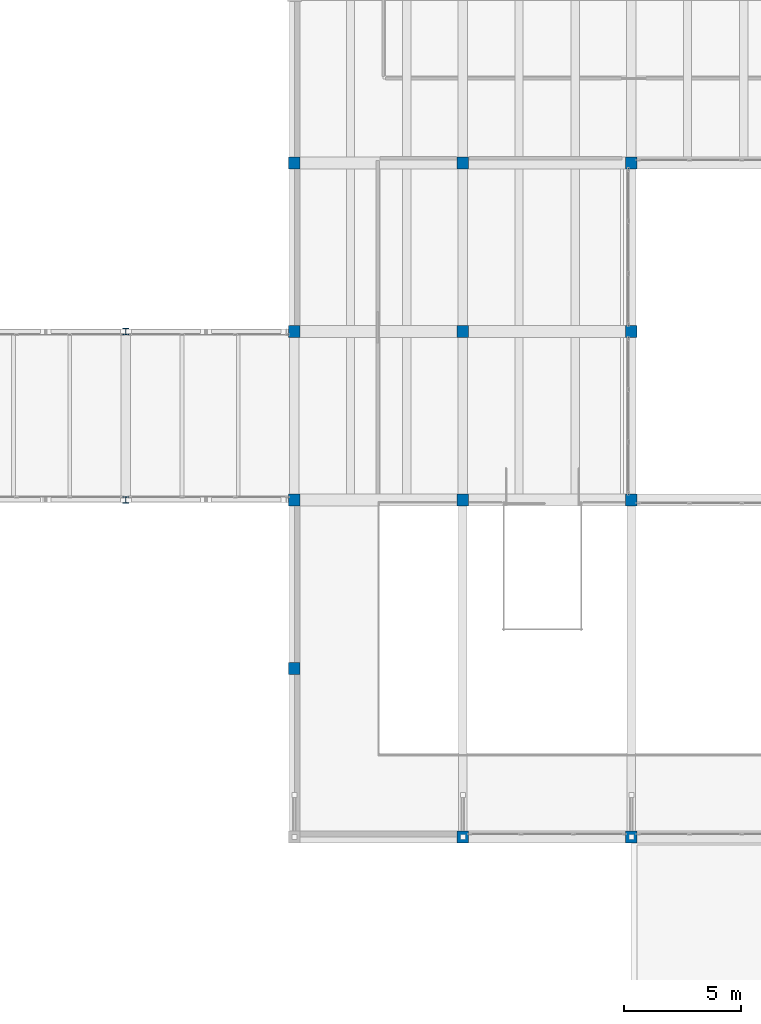
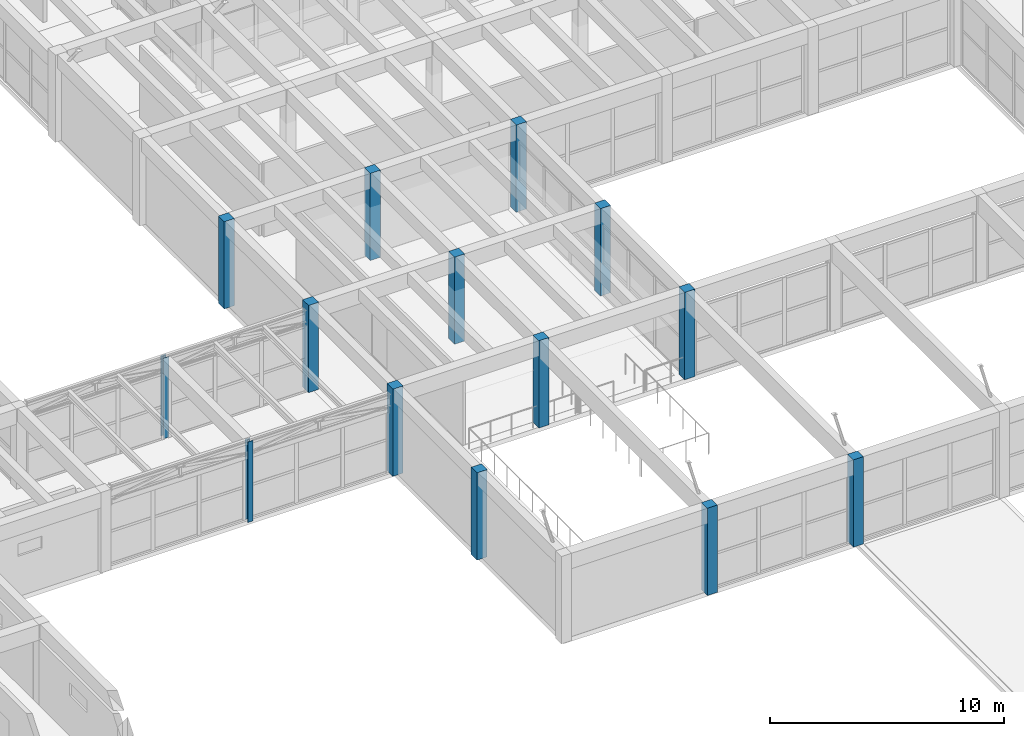
# One storey, part 2 of 153: 14 columns.
"""IFC4 building model written with IfcOpenShell, lengths in metres."""

from ifc_helpers import new_model, si_unit, direction, frame, origin, origin_2d, place, context, subcontext, project, spatial, rectangle, i_section, extrude, material, material_profile, profile_set, type_object, element, save


model = new_model("IFC4")

# Units and contexts
model_context = context("Model", 3, precision=1e-05, world=origin(), true_north=direction((0.0, 1.0)))
body_context = subcontext(model_context, "Body", "Model", "MODEL_VIEW")
ifc_project = project(units=[si_unit("LENGTHUNIT", "METRE"), si_unit("AREAUNIT", "SQUARE_METRE"), si_unit("VOLUMEUNIT", "CUBIC_METRE"), si_unit("PLANEANGLEUNIT", "RADIAN"), si_unit("MASSUNIT", "GRAM", prefix="KILO")], contexts=[model_context])

# Site, building, storey
site_placement = place(None, origin())
site = spatial("IfcSite", under=ifc_project, at=site_placement, CompositionType="ELEMENT")
building_placement = place(site_placement, origin())
building = spatial("IfcBuilding", under=site, at=building_placement, Name="Bramvelor Terrace Health Centre", CompositionType="ELEMENT")
storey_placement = place(building_placement, frame((0.0, 0.0, 4.800048828125)))
storey = spatial("IfcBuildingStorey", under=building, at=storey_placement, Name="L02", CompositionType="ELEMENT", Elevation=4.800048828125)

# Columns
ifc_material_1 = material(Name="Concrete C40/50", Category="concrete")
ifc_material_profile_1 = material_profile(ifc_material_1, rectangle(XDim=0.5, YDim=0.5, at=origin_2d()), Name="RC 500x500")
ifc_profile_set_1 = profile_set([ifc_material_profile_1], Name="Concrete C40/50")
column_type_1 = type_object("IfcColumnType", Name="COL-RC-500", PredefinedType="COLUMN", material=ifc_profile_set_1)
for number, where, z_axis, x_axis, name in (
    (1, (43.199951171875, 43.199951171875, 0.0), (0.0, 0.0, 1.0), (1.0, 0.0, 0.0), "L02 Column (43.2, 43.2)"),
    (2, (43.199951171875, 50.39990234375, 0.0), (0.0, 0.0, 1.0), (1.0, 0.0, 0.0), "L02 Column (43.2, 50.4)"),
    (3, (43.199951171875, 57.60009765625, 0.0), (0.0, 0.0, 1.0), (1.0, 0.0, 0.0), "L02 Column (43.2, 57.6)"),
    (4, (43.199951171875, 64.800048828125, 0.0), (0.0, 0.0, 1.0), (1.0, 0.0, 0.0), "L02 Column (43.2, 64.8)"),
    (5, (50.39990234375, 36.0, 0.0), (0.0, 0.0, 1.0), (1.0, 0.0, 0.0), "L02 Column (50.4, 36.0)"),
    (6, (50.39990234375, 50.39990234375, 0.0), (0.0, 0.0, 1.0), (1.0, 0.0, 0.0), "L02 Column (50.4, 50.4)"),
    (7, (50.39990234375, 57.60009765625, 0.0), (0.0, 0.0, 1.0), (1.0, 0.0, 0.0), "L02 Column (50.4, 57.6)"),
    (8, (50.39990234375, 64.800048828125, 0.0), (0.0, 0.0, 1.0), (1.0, 0.0, 0.0), "L02 Column (50.4, 64.8)"),
    (9, (57.60009765625, 36.0, 0.0), (0.0, 0.0, 1.0), (1.0, 0.0, 0.0), "L02 Column (57.6, 36.0)"),
    (10, (57.60009765625, 50.39990234375, 0.0), (0.0, 0.0, 1.0), (1.0, 0.0, 0.0), "L02 Column (57.6, 50.4)"),
    (11, (57.60009765625, 57.60009765625, 0.0), (0.0, 0.0, 1.0), (1.0, 0.0, 0.0), "L02 Column (57.6, 57.6)"),
    (12, (57.60009765625, 64.800048828125, 0.0), (0.0, 0.0, 1.0), (1.0, 0.0, 0.0), "L02 Column (57.6, 64.8)"),
):
    element("IfcColumn", number, at=place(storey_placement, frame(where, z_axis=z_axis, x_axis=x_axis)), inside=storey, type_object=column_type_1, Name=name, PredefinedType="COLUMN", context=body_context, shape_type="SweptSolid", body=[
        extrude(rectangle(XDim=0.5, YDim=0.5, at=origin_2d()), origin(), (0.0, 0.0, 1.0), 4.550048828125),
    ])
ifc_material_2 = material(Name="Steel S355J2", Category="steel")
ifc_material_profile_2 = material_profile(ifc_material_2, i_section(OverallWidth=0.25634765625, OverallDepth=0.26025390625, WebThickness=0.01025390625, FlangeThickness=0.017333984375, FilletRadius=0.0126953125, at=origin_2d()), Name="UC 254x254x89")
ifc_profile_set_2 = profile_set([ifc_material_profile_2], Name="Steel S355J2")
column_type_2 = type_object("IfcColumnType", Name="COL-STL-UC254", PredefinedType="COLUMN", material=ifc_profile_set_2)
for number, where, z_axis, x_axis, name in (
    (13, (36.0, 50.39990234375, 0.0), (0.0, 0.0, 1.0), (1.0, 0.0, 0.0), "L02 Column (36.0, 50.4)"),
    (14, (36.0, 57.60009765625, 0.0), (0.0, 0.0, 1.0), (1.0, 0.0, 0.0), "L02 Column (36.0, 57.6)"),
):
    element("IfcColumn", number, at=place(storey_placement, frame(where, z_axis=z_axis, x_axis=x_axis)), inside=storey, type_object=column_type_2, Name=name, PredefinedType="COLUMN", context=body_context, shape_type="SweptSolid", body=[
        extrude(i_section(OverallWidth=0.25634765625, OverallDepth=0.26025390625, WebThickness=0.01025390625, FlangeThickness=0.017333984375, FilletRadius=0.0126953125, at=origin_2d()), origin(), (0.0, 0.0, 1.0), 4.199951171875),
    ])

save(model, "model.ifc")
